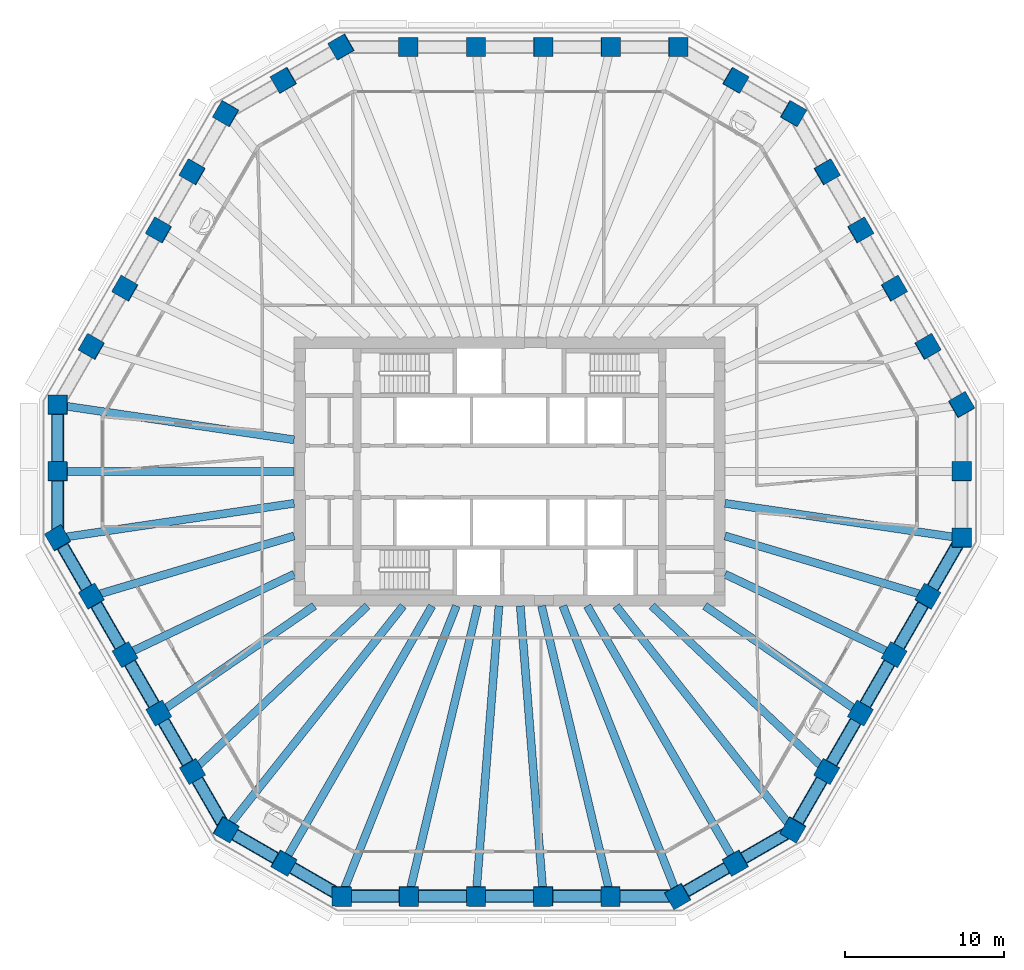
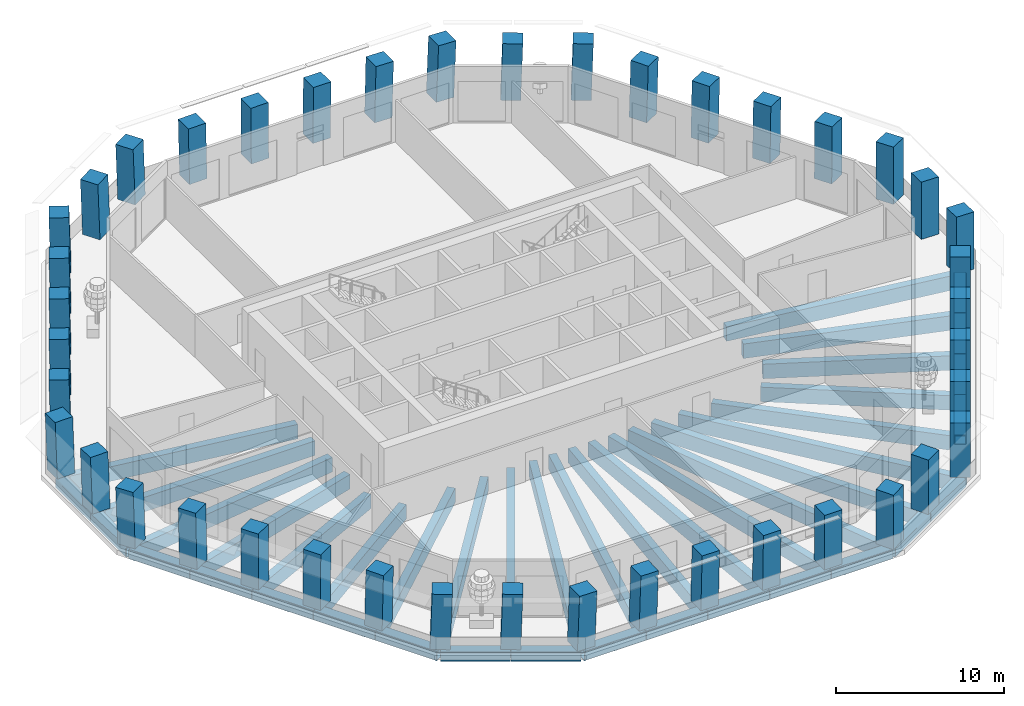
# One storey, part 1 of 12: 43 beams, 42 columns.
"""IFC4 building model written with IfcOpenShell, lengths in metres."""

from ifc_helpers import new_model, si_unit, direction, frame, origin, origin_2d, place, context, subcontext, project, spatial, rectangle, hollow_rectangle, extrude, material, material_profile, profile_set, type_object, element, save


model = new_model("IFC4")

# Units and contexts
model_context = context("Model", 3, precision=1e-05, world=origin(), true_north=direction((0.0, 1.0)))
body_context = subcontext(model_context, "Body", "Model", "MODEL_VIEW")
ifc_project = project(units=[si_unit("LENGTHUNIT", "METRE"), si_unit("AREAUNIT", "SQUARE_METRE"), si_unit("VOLUMEUNIT", "CUBIC_METRE"), si_unit("PLANEANGLEUNIT", "RADIAN"), si_unit("MASSUNIT", "GRAM", prefix="KILO")], contexts=[model_context])

# Site, building, storey
site_placement = place(None, origin())
site = spatial("IfcSite", under=ifc_project, at=site_placement, CompositionType="ELEMENT")
building_placement = place(site_placement, origin())
building = spatial("IfcBuilding", under=site, at=building_placement, Name="Frailejon Research Tower", CompositionType="ELEMENT")
storey_placement = place(building_placement, frame((0.0, 0.0, 145.199951171875)))
storey = spatial("IfcBuildingStorey", under=building, at=storey_placement, Name="L31", CompositionType="ELEMENT", Elevation=145.199951171875)

# Columns
ifc_material_1 = material(Name="Concrete C60/75", Category="concrete")
ifc_material_profile_1 = material_profile(ifc_material_1, rectangle(XDim=1.199951171875, YDim=1.199951171875, at=origin_2d()), Name="Column 1200")
ifc_profile_set_1 = profile_set([ifc_material_profile_1], Name="Concrete C60/75")
column_type = type_object("IfcColumnType", Name="Column 1200", PredefinedType="COLUMN", material=ifc_profile_set_1)
for number, where, z_axis, x_axis, name in (
    (1, (28.412841796875, -4.1875, 0.0), (0.018132630042, 0.031385715123, 0.999342856388), (-2.2275817e-05, 0.999507197449, -0.031390472292), "Column C01"),
    (2, (28.412841796875, 0.0, 0.0), (0.018132630042, 0.031385715123, 0.999342856388), (-2.2275817e-05, 0.999507197449, -0.031390472292), "Column C02"),
    (3, (28.412841796875, 4.1875, 0.0), (0.018132630042, 0.031385715123, 0.999342856388), (-0.500209083473, 0.865715193431, -0.018112886952), "Column C03"),
):
    element("IfcColumn", number, at=place(storey_placement, frame(where, z_axis=z_axis, x_axis=x_axis)), inside=storey, type_object=column_type, Name=name, PredefinedType="COLUMN", context=body_context, shape_type="SweptSolid", body=[
        extrude(rectangle(XDim=1.199951171875, YDim=1.199951171875, at=origin_2d()), origin(), (0.0, 0.0, 1.0), 4.052734375),
    ])
column_1_placement = place(storey_placement, frame((26.296875, 7.8525390625, 0.0), z_axis=(0.021749390218, 0.025123256844, 0.9994477405), x_axis=(-0.500115620545, 0.865890253502, -0.010882783573)))
element("IfcColumn", 4, at=column_1_placement, inside=storey, type_object=column_type, Name="Column C04", PredefinedType="COLUMN", context=body_context, shape_type="SweptSolid", body=[
    extrude(rectangle(XDim=1.199951171875, YDim=1.199951171875, at=origin_2d()), origin(), (0.0, 0.0, 1.0), 4.05224609375),
])
for number, where, z_axis, x_axis, name in (
    (5, (24.180908203125, 11.517578125, 0.0), (0.025365582388, 0.018858497119, 0.999500347332), (-0.500321526885, 0.865832042738, -0.003639162491), "Column C05"),
    (6, (22.06494140625, 15.1826171875, 0.0), (0.028980660531, 0.012532177527, 0.999501408624), (-0.499450496938, 0.866334867635, 0.003619147421), "Column C06"),
):
    element("IfcColumn", number, at=place(storey_placement, frame(where, z_axis=z_axis, x_axis=x_axis)), inside=storey, type_object=column_type, Name=name, PredefinedType="COLUMN", context=body_context, shape_type="SweptSolid", body=[
        extrude(rectangle(XDim=1.199951171875, YDim=1.199951171875, at=origin_2d()), origin(), (0.0, 0.0, 1.0), 4.052001953125),
    ])
column_2_placement = place(storey_placement, frame((19.948974609375, 18.847412109375, 0.0), z_axis=(0.032654187208, 0.006265748099, 0.999447069363), x_axis=(-0.499519823947, 0.866234008258, 0.010889831076)))
element("IfcColumn", 7, at=column_2_placement, inside=storey, type_object=column_type, Name="Column C07", PredefinedType="COLUMN", context=body_context, shape_type="SweptSolid", body=[
    extrude(rectangle(XDim=1.199951171875, YDim=1.199951171875, at=origin_2d()), origin(), (0.0, 0.0, 1.0), 4.05224609375),
])
for number, where, z_axis, x_axis, name in (
    (8, (17.8330078125, 22.512451171875, 0.0), (0.036265236264, 0.0, 0.999342199969), (-0.865313546461, 0.500246354177, 0.031401456084), "Column C08"),
    (9, (14.206298828125, 24.606201171875, 0.0), (0.036325398096, 0.0, 0.999340014936), (-0.865311654478, 0.500246354177, 0.031453549198), "Column C09"),
    (10, (10.579833984375, 26.699951171875, 0.0), (0.036265236264, 0.0, 0.999342199969), (-0.999342199969, 0.0, 0.036265236264), "Column C10"),
):
    element("IfcColumn", number, at=place(storey_placement, frame(where, z_axis=z_axis, x_axis=x_axis)), inside=storey, type_object=column_type, Name=name, PredefinedType="COLUMN", context=body_context, shape_type="SweptSolid", body=[
        extrude(rectangle(XDim=1.199951171875, YDim=1.199951171875, at=origin_2d()), origin(), (0.0, 0.0, 1.0), 4.052734375),
    ])
column_3_placement = place(storey_placement, frame((6.347900390625, 26.699951171875, 0.0), z_axis=(0.021756257337, 0.0, 0.999763304621), x_axis=(-0.999763304621, 0.0, 0.021756257337)))
element("IfcColumn", 11, at=column_3_placement, inside=storey, type_object=column_type, Name="Column C11", PredefinedType="COLUMN", context=body_context, shape_type="SweptSolid", body=[
    extrude(rectangle(XDim=1.199951171875, YDim=1.199951171875, at=origin_2d()), origin(), (0.0, 0.0, 1.0), 4.051025390625),
])
for number, where, z_axis, x_axis, name in (
    (12, (2.115966796875, 26.699951171875, 0.0), (0.007293795973, 0.0, 0.999973399916), (-0.999973399916, 0.0, 0.007293795973), "Column C12"),
    (13, (-2.115966796875, 26.699951171875, 0.0), (-0.007293795973, 0.0, 0.999973399916), (-0.999973399916, 0.0, -0.007293795973), "Column C13"),
):
    element("IfcColumn", number, at=place(storey_placement, frame(where, z_axis=z_axis, x_axis=x_axis)), inside=storey, type_object=column_type, Name=name, PredefinedType="COLUMN", context=body_context, shape_type="SweptSolid", body=[
        extrude(rectangle(XDim=1.199951171875, YDim=1.199951171875, at=origin_2d()), origin(), (0.0, 0.0, 1.0), 4.050048828125),
    ])
column_4_placement = place(storey_placement, frame((-6.347900390625, 26.699951171875, 0.0), z_axis=(-0.021756257337, 0.0, 0.999763304621), x_axis=(-0.999763304621, 0.0, -0.021756257337)))
element("IfcColumn", 14, at=column_4_placement, inside=storey, type_object=column_type, Name="Column C14", PredefinedType="COLUMN", context=body_context, shape_type="SweptSolid", body=[
    extrude(rectangle(XDim=1.199951171875, YDim=1.199951171875, at=origin_2d()), origin(), (0.0, 0.0, 1.0), 4.051025390625),
])
for number, where, z_axis, x_axis, name in (
    (15, (-10.579833984375, 26.699951171875, 0.0), (-0.036265236264, 0.0, 0.999342199969), (-0.865313546461, -0.500246354177, -0.031401456084), "Column C15"),
    (16, (-14.206298828125, 24.606201171875, 0.0), (-0.036325398096, 0.0, 0.999340014936), (-0.865311654478, -0.500246354177, -0.031453549198), "Column C16"),
    (17, (-17.8330078125, 22.512451171875, 0.0), (-0.036265236264, 0.0, 0.999342199969), (-0.499424867419, -0.866167613071, -0.018123682572), "Column C17"),
):
    element("IfcColumn", number, at=place(storey_placement, frame(where, z_axis=z_axis, x_axis=x_axis)), inside=storey, type_object=column_type, Name=name, PredefinedType="COLUMN", context=body_context, shape_type="SweptSolid", body=[
        extrude(rectangle(XDim=1.199951171875, YDim=1.199951171875, at=origin_2d()), origin(), (0.0, 0.0, 1.0), 4.052734375),
    ])
column_5_placement = place(storey_placement, frame((-19.948974609375, 18.847412109375, 0.0), z_axis=(-0.032654187208, 0.006265748099, 0.999447069363), x_axis=(-0.499519823947, -0.866234008258, -0.010889831076)))
element("IfcColumn", 18, at=column_5_placement, inside=storey, type_object=column_type, Name="Column C18", PredefinedType="COLUMN", context=body_context, shape_type="SweptSolid", body=[
    extrude(rectangle(XDim=1.199951171875, YDim=1.199951171875, at=origin_2d()), origin(), (0.0, 0.0, 1.0), 4.05224609375),
])
for number, where, z_axis, x_axis, name in (
    (19, (-22.06494140625, 15.1826171875, 0.0), (-0.028980660531, 0.012532177527, 0.999501408624), (-0.499450496938, -0.866334867635, -0.003619147421), "Column C19"),
    (20, (-24.180908203125, 11.517578125, 0.0), (-0.025365582388, 0.018858497119, 0.999500347332), (-0.500321526885, -0.865832042738, 0.003639162491), "Column C20"),
):
    element("IfcColumn", number, at=place(storey_placement, frame(where, z_axis=z_axis, x_axis=x_axis)), inside=storey, type_object=column_type, Name=name, PredefinedType="COLUMN", context=body_context, shape_type="SweptSolid", body=[
        extrude(rectangle(XDim=1.199951171875, YDim=1.199951171875, at=origin_2d()), origin(), (0.0, 0.0, 1.0), 4.052001953125),
    ])
column_6_placement = place(storey_placement, frame((-26.296875, 7.8525390625, 0.0), z_axis=(-0.021749390218, 0.025123256844, 0.9994477405), x_axis=(-0.500115620545, -0.865890253502, 0.010882783573)))
element("IfcColumn", 21, at=column_6_placement, inside=storey, type_object=column_type, Name="Column C21", PredefinedType="COLUMN", context=body_context, shape_type="SweptSolid", body=[
    extrude(rectangle(XDim=1.199951171875, YDim=1.199951171875, at=origin_2d()), origin(), (0.0, 0.0, 1.0), 4.05224609375),
])
for number, where, z_axis, x_axis, name in (
    (22, (-28.412841796875, 4.1875, 0.0), (-0.018132630042, 0.031385715123, 0.999342856388), (-0.000336383425, -0.999507319949, 0.031384776797), "Column C22"),
    (23, (-28.412841796875, 0.0, 0.0), (-0.018132630042, 0.031385715123, 0.999342856388), (-2.2275817e-05, -0.999507197449, 0.031390472292), "Column C23"),
    (24, (-28.412841796875, -4.1875, 0.0), (-0.018132630042, 0.031385715123, 0.999342856388), (0.50014482047, -0.865182814935, 0.036247141934), "Column C24"),
):
    element("IfcColumn", number, at=place(storey_placement, frame(where, z_axis=z_axis, x_axis=x_axis)), inside=storey, type_object=column_type, Name=name, PredefinedType="COLUMN", context=body_context, shape_type="SweptSolid", body=[
        extrude(rectangle(XDim=1.199951171875, YDim=1.199951171875, at=origin_2d()), origin(), (0.0, 0.0, 1.0), 4.052734375),
    ])
column_7_placement = place(storey_placement, frame((-26.296875, -7.8525390625, 0.0), z_axis=(-0.010847994403, 0.018863456933, 0.999763217472), x_axis=(0.498110056101, -0.866840736857, 0.021760260458)))
element("IfcColumn", 25, at=column_7_placement, inside=storey, type_object=column_type, Name="Column C25", PredefinedType="COLUMN", context=body_context, shape_type="SweptSolid", body=[
    extrude(rectangle(XDim=1.199951171875, YDim=1.199951171875, at=origin_2d()), origin(), (0.0, 0.0, 1.0), 4.051025390625),
])
for number, where, z_axis, x_axis, name in (
    (26, (-24.180908203125, -11.517578125, 0.0), (-0.003616759812, 0.006269050341, 0.999973808685), (0.500530036588, -0.865688916746, 0.00723753388), "Column C26"),
    (27, (-22.06494140625, -15.1826171875, 0.0), (0.003616759812, -0.006269050341, 0.999973808685), (0.498177152713, -0.867045063843, -0.007237525818), "Column C27"),
):
    element("IfcColumn", number, at=place(storey_placement, frame(where, z_axis=z_axis, x_axis=x_axis)), inside=storey, type_object=column_type, Name=name, PredefinedType="COLUMN", context=body_context, shape_type="SweptSolid", body=[
        extrude(rectangle(XDim=1.199951171875, YDim=1.199951171875, at=origin_2d()), origin(), (0.0, 0.0, 1.0), 4.050048828125),
    ])
column_8_placement = place(storey_placement, frame((-19.948974609375, -18.847412109375, 0.0), z_axis=(0.010908253887, -0.018863444567, 0.99976256204), x_axis=(0.50018659929, -0.865643429133, -0.021790353113)))
element("IfcColumn", 28, at=column_8_placement, inside=storey, type_object=column_type, Name="Column C28", PredefinedType="COLUMN", context=body_context, shape_type="SweptSolid", body=[
    extrude(rectangle(XDim=1.199951171875, YDim=1.199951171875, at=origin_2d()), origin(), (0.0, 0.0, 1.0), 4.051025390625),
])
for number, where, z_axis, x_axis, name in (
    (29, (-17.8330078125, -22.512451171875, 0.0), (0.018132630042, -0.031385715123, 0.999342856388), (0.866156195426, -0.498787200508, -0.031381104725), "Column C29"),
    (30, (-14.206298828125, -24.606201171875, 0.0), (0.018132630042, -0.031385715123, 0.999342856388), (0.866156195426, -0.498787200508, -0.031381104725), "Column C30"),
    (31, (-10.579833984375, -26.699951171875, 0.0), (0.018132595726, -0.031445896907, 0.999340965106), (0.99983524919, -0.000256147078, -0.018149624376), "Column C31"),
):
    element("IfcColumn", number, at=place(storey_placement, frame(where, z_axis=z_axis, x_axis=x_axis)), inside=storey, type_object=column_type, Name=name, PredefinedType="COLUMN", context=body_context, shape_type="SweptSolid", body=[
        extrude(rectangle(XDim=1.199951171875, YDim=1.199951171875, at=origin_2d()), origin(), (0.0, 0.0, 1.0), 4.052734375),
    ])
column_9_placement = place(storey_placement, frame((-6.347900390625, -26.699951171875, 0.0), z_axis=(0.010904798434, -0.031449197695, 0.999445863134), x_axis=(0.999940479279, 0.000693913361, -0.010888359996)))
element("IfcColumn", 32, at=column_9_placement, inside=storey, type_object=column_type, Name="Column C32", PredefinedType="COLUMN", context=body_context, shape_type="SweptSolid", body=[
    extrude(rectangle(XDim=1.199951171875, YDim=1.199951171875, at=origin_2d()), origin(), (0.0, 0.0, 1.0), 4.05224609375),
])
for number, where, z_axis, x_axis, name in (
    (33, (-2.115966796875, -26.699951171875, 0.0), (0.003615041636, -0.031450862236, 0.999498761749), (0.999993193045, -0.000624412618, -0.003636478086), "Column C33"),
    (34, (2.115966796875, -26.699951171875, 0.0), (-0.003615041636, -0.031450862236, 0.999498761749), (0.999993193045, 0.000624412618, 0.003636478086), "Column C34"),
):
    element("IfcColumn", number, at=place(storey_placement, frame(where, z_axis=z_axis, x_axis=x_axis)), inside=storey, type_object=column_type, Name=name, PredefinedType="COLUMN", context=body_context, shape_type="SweptSolid", body=[
        extrude(rectangle(XDim=1.199951171875, YDim=1.199951171875, at=origin_2d()), origin(), (0.0, 0.0, 1.0), 4.052001953125),
    ])
column_10_placement = place(storey_placement, frame((6.347900390625, -26.699951171875, 0.0), z_axis=(-0.010904798434, -0.031449197695, 0.999445863134), x_axis=(0.999940479279, -0.000693913361, 0.010888359996)))
element("IfcColumn", 35, at=column_10_placement, inside=storey, type_object=column_type, Name="Column C35", PredefinedType="COLUMN", context=body_context, shape_type="SweptSolid", body=[
    extrude(rectangle(XDim=1.199951171875, YDim=1.199951171875, at=origin_2d()), origin(), (0.0, 0.0, 1.0), 4.05224609375),
])
for number, where, z_axis, x_axis, name in (
    (36, (10.579833984375, -26.699951171875, 0.0), (-0.018132595726, -0.031445896907, 0.999340965106), (0.865469370655, 0.499974541214, 0.031436071558), "Column C36"),
    (37, (14.206298828125, -24.606201171875, 0.0), (-0.018132630042, -0.031385715123, 0.999342856388), (0.866156195426, 0.498787200508, 0.031381104725), "Column C37"),
    (38, (17.8330078125, -22.512451171875, 0.0), (-0.018132630042, -0.031385715123, 0.999342856388), (0.50014482047, 0.865182814935, 0.036247141934), "Column C38"),
):
    element("IfcColumn", number, at=place(storey_placement, frame(where, z_axis=z_axis, x_axis=x_axis)), inside=storey, type_object=column_type, Name=name, PredefinedType="COLUMN", context=body_context, shape_type="SweptSolid", body=[
        extrude(rectangle(XDim=1.199951171875, YDim=1.199951171875, at=origin_2d()), origin(), (0.0, 0.0, 1.0), 4.052734375),
    ])
column_11_placement = place(storey_placement, frame((19.948974609375, -18.847412109375, 0.0), z_axis=(-0.010908253887, -0.018863444567, 0.99976256204), x_axis=(0.50018659929, 0.865643429133, 0.021790353113)))
element("IfcColumn", 39, at=column_11_placement, inside=storey, type_object=column_type, Name="Column C39", PredefinedType="COLUMN", context=body_context, shape_type="SweptSolid", body=[
    extrude(rectangle(XDim=1.199951171875, YDim=1.199951171875, at=origin_2d()), origin(), (0.0, 0.0, 1.0), 4.051025390625),
])
for number, where, z_axis, x_axis, name in (
    (40, (22.06494140625, -15.1826171875, 0.0), (-0.003616759812, -0.006269050341, 0.999973808685), (0.498177152713, 0.867045063843, 0.007237525818), "Column C40"),
    (41, (24.180908203125, -11.517578125, 0.0), (0.003616759812, 0.006269050341, 0.999973808685), (0.500530036588, 0.865688916746, -0.00723753388), "Column C41"),
):
    element("IfcColumn", number, at=place(storey_placement, frame(where, z_axis=z_axis, x_axis=x_axis)), inside=storey, type_object=column_type, Name=name, PredefinedType="COLUMN", context=body_context, shape_type="SweptSolid", body=[
        extrude(rectangle(XDim=1.199951171875, YDim=1.199951171875, at=origin_2d()), origin(), (0.0, 0.0, 1.0), 4.050048828125),
    ])
column_12_placement = place(storey_placement, frame((26.296875, -7.8525390625, 0.0), z_axis=(0.010847994403, 0.018863456933, 0.999763217472), x_axis=(0.498110056101, 0.866840736857, -0.021760260458)))
element("IfcColumn", 42, at=column_12_placement, inside=storey, type_object=column_type, Name="Column C42", PredefinedType="COLUMN", context=body_context, shape_type="SweptSolid", body=[
    extrude(rectangle(XDim=1.199951171875, YDim=1.199951171875, at=origin_2d()), origin(), (0.0, 0.0, 1.0), 4.051025390625),
])

# Beams
ifc_material_2 = material(Name="Concrete C60/75", Category="concrete")
ifc_material_profile_2 = material_profile(ifc_material_2, rectangle(XDim=0.5, YDim=1.050048828125, at=origin_2d()), Name="Girder 500x1050")
ifc_profile_set_2 = profile_set([ifc_material_profile_2], Name="Concrete C60/75")
beam_type_1 = type_object("IfcBeamType", Name="Girder 500x1050", PredefinedType="BEAM", material=ifc_profile_set_2)
for number, where, z_axis, x_axis, name in (
    (43, (27.961181640625, -4.12109375, -0.824951171875), (-0.989312252473, 0.145812438106, 0.0), (-0.145812438106, -0.989312252473, 0.0), "Girder 500x1050"),
    (44, (-27.961181640625, 4.12109375, -0.824951171875), (0.989312252473, -0.145812438106, 0.0), (0.145812438106, 0.989312252473, 0.0), "Girder 500x1050"),
):
    element("IfcBeam", number, at=place(storey_placement, frame(where, z_axis=z_axis, x_axis=x_axis)), inside=storey, type_object=beam_type_1, Name=name, PredefinedType="BEAM", context=body_context, shape_type="SweptSolid", body=[
        extrude(rectangle(XDim=0.5, YDim=1.050048828125, at=origin_2d()), origin(), (0.0, 0.0, 1.0), 14.56689453125),
    ])
beam_1_placement = place(storey_placement, frame((-27.962890625, 0.0, -0.824951171875), z_axis=(1.0, 0.0, 0.0), x_axis=(0.0, 1.0, 0.0)))
element("IfcBeam", 45, at=beam_1_placement, inside=storey, type_object=beam_type_1, Name="Girder 500x1050", PredefinedType="BEAM", context=body_context, shape_type="SweptSolid", body=[
    extrude(rectangle(XDim=0.5, YDim=1.050048828125, at=origin_2d()), origin(), (0.0, 0.0, 1.0), 14.412841796875),
])
beam_2_placement = place(storey_placement, frame((-27.922607421875, -4.115478515625, -0.824951171875), z_axis=(0.989311556104, 0.145817162771, 0.0), x_axis=(-0.145817162771, 0.989311556104, 0.0)))
element("IfcBeam", 46, at=beam_2_placement, inside=storey, type_object=beam_type_1, Name="Girder 500x1050", PredefinedType="BEAM", context=body_context, shape_type="SweptSolid", body=[
    extrude(rectangle(XDim=0.5, YDim=1.050048828125, at=origin_2d()), origin(), (0.0, 0.0, 1.0), 14.52783203125),
])
beam_3_placement = place(storey_placement, frame((-25.849609375, -7.718994140625, -0.824951171875), z_axis=(0.95819037605, 0.286131444, 0.0), x_axis=(-0.286131444, 0.95819037605, 0.0)))
element("IfcBeam", 47, at=beam_3_placement, inside=storey, type_object=beam_type_1, Name="Girder 500x1050", PredefinedType="BEAM", context=body_context, shape_type="SweptSolid", body=[
    extrude(rectangle(XDim=0.5, YDim=1.050048828125, at=origin_2d()), origin(), (0.0, 0.0, 1.0), 12.836181640625),
])
beam_4_placement = place(storey_placement, frame((-23.77294921875, -11.3232421875, -0.824951171875), z_axis=(0.902814682084, 0.43002982433, 0.0), x_axis=(-0.43002982433, 0.902814682084, 0.0)))
element("IfcBeam", 48, at=beam_4_placement, inside=storey, type_object=beam_type_1, Name="Girder 500x1050", PredefinedType="BEAM", context=body_context, shape_type="SweptSolid", body=[
    extrude(rectangle(XDim=0.5, YDim=1.050048828125, at=origin_2d()), origin(), (0.0, 0.0, 1.0), 11.323486328125),
])
beam_5_placement = place(storey_placement, frame((-21.692626953125, -14.92626953125, -0.824951171875), z_axis=(0.823817400078, 0.566855264886, 0.0), x_axis=(-0.566855264886, 0.823817400078, 0.0)))
element("IfcBeam", 49, at=beam_5_placement, inside=storey, type_object=beam_type_1, Name="Girder 500x1050", PredefinedType="BEAM", context=body_context, shape_type="SweptSolid", body=[
    extrude(rectangle(XDim=0.5, YDim=1.050048828125, at=origin_2d()), origin(), (0.0, 0.0, 1.0), 11.425048828125),
])
beam_6_placement = place(storey_placement, frame((-19.609619140625, -18.527099609375, -0.824951171875), z_axis=(0.726879787721, 0.686764715315, 0.0), x_axis=(-0.686764715315, 0.726879787721, 0.0)))
element("IfcBeam", 50, at=beam_6_placement, inside=storey, type_object=beam_type_1, Name="Girder 500x1050", PredefinedType="BEAM", context=body_context, shape_type="SweptSolid", body=[
    extrude(rectangle(XDim=0.5, YDim=1.050048828125, at=origin_2d()), origin(), (0.0, 0.0, 1.0), 14.67333984375),
])
beam_7_placement = place(storey_placement, frame((-17.549560546875, -22.154541015625, -0.824951171875), z_axis=(0.620931113897, 0.783865136228, 0.0), x_axis=(-0.783865136228, 0.620931113897, 0.0)))
element("IfcBeam", 51, at=beam_7_placement, inside=storey, type_object=beam_type_1, Name="Girder 500x1050", PredefinedType="BEAM", context=body_context, shape_type="SweptSolid", body=[
    extrude(rectangle(XDim=0.5, YDim=1.050048828125, at=origin_2d()), origin(), (0.0, 0.0, 1.0), 17.4833984375),
])
beam_8_placement = place(storey_placement, frame((-13.9814453125, -24.216552734375, -0.824951171875), z_axis=(0.499997180003, 0.866027031905, 0.0), x_axis=(-0.866027031905, 0.499997180003, 0.0)))
element("IfcBeam", 52, at=beam_8_placement, inside=storey, type_object=beam_type_1, Name="Girder 500x1050", PredefinedType="BEAM", context=body_context, shape_type="SweptSolid", body=[
    extrude(rectangle(XDim=0.5, YDim=1.050048828125, at=origin_2d()), origin(), (0.0, 0.0, 1.0), 18.20556640625),
])
beam_9_placement = place(storey_placement, frame((-10.3974609375, -26.239501953125, -0.824951171875), z_axis=(0.368381637422, 0.929674657722, 0.0), x_axis=(-0.929674657722, 0.368381637422, 0.0)))
element("IfcBeam", 53, at=beam_9_placement, inside=storey, type_object=beam_type_1, Name="Girder 500x1050", PredefinedType="BEAM", context=body_context, shape_type="SweptSolid", body=[
    extrude(rectangle(XDim=0.5, YDim=1.050048828125, at=origin_2d()), origin(), (0.0, 0.0, 1.0), 19.13525390625),
])
beam_10_placement = place(storey_placement, frame((-6.239990234375, -26.245849609375, -0.824951171875), z_axis=(0.231301735963, 0.972882062195, 0.0), x_axis=(-0.972882062195, 0.231301735963, 0.0)))
element("IfcBeam", 54, at=beam_10_placement, inside=storey, type_object=beam_type_1, Name="Girder 500x1050", PredefinedType="BEAM", context=body_context, shape_type="SweptSolid", body=[
    extrude(rectangle(XDim=0.5, YDim=1.050048828125, at=origin_2d()), origin(), (0.0, 0.0, 1.0), 18.2919921875),
])
for number, where, z_axis, x_axis, name in (
    (55, (-2.080322265625, -26.24951171875, -0.824951171875), (0.079003932823, 0.996874304312, 0.0), (-0.996874304312, 0.079003932823, 0.0), "Girder 500x1050"),
    (56, (2.080322265625, -26.24951171875, -0.824951171875), (-0.079003932823, 0.996874304312, 0.0), (-0.996874304312, -0.079003932823, 0.0), "Girder 500x1050"),
):
    element("IfcBeam", number, at=place(storey_placement, frame(where, z_axis=z_axis, x_axis=x_axis)), inside=storey, type_object=beam_type_1, Name=name, PredefinedType="BEAM", context=body_context, shape_type="SweptSolid", body=[
        extrude(rectangle(XDim=0.5, YDim=1.050048828125, at=origin_2d()), origin(), (0.0, 0.0, 1.0), 17.85546875),
    ])
beam_11_placement = place(storey_placement, frame((6.239990234375, -26.245849609375, -0.824951171875), z_axis=(-0.231301735963, 0.972882062195, 0.0), x_axis=(-0.972882062195, -0.231301735963, 0.0)))
element("IfcBeam", 57, at=beam_11_placement, inside=storey, type_object=beam_type_1, Name="Girder 500x1050", PredefinedType="BEAM", context=body_context, shape_type="SweptSolid", body=[
    extrude(rectangle(XDim=0.5, YDim=1.050048828125, at=origin_2d()), origin(), (0.0, 0.0, 1.0), 18.2919921875),
])
beam_12_placement = place(storey_placement, frame((10.41162109375, -26.275634765625, -0.824951171875), z_axis=(-0.368374542626, 0.929677468989, 0.0), x_axis=(-0.929677468989, -0.368374542626, 0.0)))
element("IfcBeam", 58, at=beam_12_placement, inside=storey, type_object=beam_type_1, Name="Girder 500x1050", PredefinedType="BEAM", context=body_context, shape_type="SweptSolid", body=[
    extrude(rectangle(XDim=0.5, YDim=1.050048828125, at=origin_2d()), origin(), (0.0, 0.0, 1.0), 19.174072265625),
])
beam_13_placement = place(storey_placement, frame((13.9814453125, -24.216552734375, -0.824951171875), z_axis=(-0.499997180003, 0.866027031905, 0.0), x_axis=(-0.866027031905, -0.499997180003, 0.0)))
element("IfcBeam", 59, at=beam_13_placement, inside=storey, type_object=beam_type_1, Name="Girder 500x1050", PredefinedType="BEAM", context=body_context, shape_type="SweptSolid", body=[
    extrude(rectangle(XDim=0.5, YDim=1.050048828125, at=origin_2d()), origin(), (0.0, 0.0, 1.0), 18.20556640625),
])
beam_14_placement = place(storey_placement, frame((17.525390625, -22.1240234375, -0.824951171875), z_axis=(-0.62093126464, 0.783865016819, 0.0), x_axis=(-0.783865016819, -0.62093126464, 0.0)))
element("IfcBeam", 60, at=beam_14_placement, inside=storey, type_object=beam_type_1, Name="Girder 500x1050", PredefinedType="BEAM", context=body_context, shape_type="SweptSolid", body=[
    extrude(rectangle(XDim=0.5, YDim=1.050048828125, at=origin_2d()), origin(), (0.0, 0.0, 1.0), 17.4443359375),
])
beam_15_placement = place(storey_placement, frame((19.609619140625, -18.527099609375, -0.824951171875), z_axis=(-0.726879787721, 0.686764715315, 0.0), x_axis=(-0.686764715315, -0.726879787721, 0.0)))
element("IfcBeam", 61, at=beam_15_placement, inside=storey, type_object=beam_type_1, Name="Girder 500x1050", PredefinedType="BEAM", context=body_context, shape_type="SweptSolid", body=[
    extrude(rectangle(XDim=0.5, YDim=1.050048828125, at=origin_2d()), origin(), (0.0, 0.0, 1.0), 14.67333984375),
])
beam_16_placement = place(storey_placement, frame((21.692626953125, -14.92626953125, -0.824951171875), z_axis=(-0.823817400078, 0.566855264886, 0.0), x_axis=(-0.566855264886, -0.823817400078, 0.0)))
element("IfcBeam", 62, at=beam_16_placement, inside=storey, type_object=beam_type_1, Name="Girder 500x1050", PredefinedType="BEAM", context=body_context, shape_type="SweptSolid", body=[
    extrude(rectangle(XDim=0.5, YDim=1.050048828125, at=origin_2d()), origin(), (0.0, 0.0, 1.0), 11.425048828125),
])
beam_17_placement = place(storey_placement, frame((23.77294921875, -11.3232421875, -0.824951171875), z_axis=(-0.902814682084, 0.43002982433, 0.0), x_axis=(-0.43002982433, -0.902814682084, 0.0)))
element("IfcBeam", 63, at=beam_17_placement, inside=storey, type_object=beam_type_1, Name="Girder 500x1050", PredefinedType="BEAM", context=body_context, shape_type="SweptSolid", body=[
    extrude(rectangle(XDim=0.5, YDim=1.050048828125, at=origin_2d()), origin(), (0.0, 0.0, 1.0), 11.323486328125),
])
beam_18_placement = place(storey_placement, frame((25.849609375, -7.718994140625, -0.824951171875), z_axis=(-0.95819037605, 0.286131444, 0.0), x_axis=(-0.286131444, -0.95819037605, 0.0)))
element("IfcBeam", 64, at=beam_18_placement, inside=storey, type_object=beam_type_1, Name="Girder 500x1050", PredefinedType="BEAM", context=body_context, shape_type="SweptSolid", body=[
    extrude(rectangle(XDim=0.5, YDim=1.050048828125, at=origin_2d()), origin(), (0.0, 0.0, 1.0), 12.836181640625),
])
ifc_material_3 = material(Name="Steel S355", Category="steel")
ifc_material_profile_3 = material_profile(ifc_material_3, hollow_rectangle(XDim=0.800048828125, YDim=0.699951171875, WallThickness=0.050048828125, InnerFilletRadius=0.050048828125, OuterFilletRadius=0.10009765625, at=origin_2d()), Name="Ring chord")
ifc_profile_set_3 = profile_set([ifc_material_profile_3], Name="Steel S355")
beam_type_2 = type_object("IfcBeamType", Name="Ring chord", PredefinedType="BEAM", material=ifc_profile_set_3)
for number, where, z_axis, x_axis, name in (
    (65, (-28.412841796875, 4.16748046875, -0.699951171875), (0.0, -1.0, 0.0), (1.0, 0.0, 0.0), "Ring chord"),
    (66, (-28.412841796875, -0.02001953125, -0.699951171875), (0.0, -1.0, 0.0), (1.0, 0.0, 0.0), "Ring chord"),
):
    element("IfcBeam", number, at=place(storey_placement, frame(where, z_axis=z_axis, x_axis=x_axis)), inside=storey, type_object=beam_type_2, Name=name, PredefinedType="BEAM", context=body_context, shape_type="SweptSolid", body=[
        extrude(hollow_rectangle(XDim=0.800048828125, YDim=0.699951171875, WallThickness=0.050048828125, InnerFilletRadius=0.050048828125, OuterFilletRadius=0.10009765625, at=origin_2d()), origin(), (0.0, 0.0, 1.0), 4.1474609375),
    ])
for number, where, z_axis, x_axis, name in (
    (67, (-28.40283203125, -4.204833984375, -0.699951171875), (0.499991329354, -0.866030409726, 0.0), (0.866030409726, 0.499991329354, 0.0), "Ring chord"),
    (68, (-26.286865234375, -7.869873046875, -0.699951171875), (0.499991329354, -0.866030409726, 0.0), (0.866030409726, 0.499991329354, 0.0), "Ring chord"),
    (69, (-24.1708984375, -11.534912109375, -0.699951171875), (0.499991329354, -0.866030409726, 0.0), (0.866030409726, 0.499991329354, 0.0), "Ring chord"),
    (70, (-22.054931640625, -15.19970703125, -0.699951171875), (0.499991329354, -0.866030409726, 0.0), (0.866030409726, 0.499991329354, 0.0), "Ring chord"),
    (71, (-19.93896484375, -18.86474609375, -0.699951171875), (0.499991329354, -0.866030409726, 0.0), (0.866030409726, 0.499991329354, 0.0), "Ring chord"),
):
    element("IfcBeam", number, at=place(storey_placement, frame(where, z_axis=z_axis, x_axis=x_axis)), inside=storey, type_object=beam_type_2, Name=name, PredefinedType="BEAM", context=body_context, shape_type="SweptSolid", body=[
        extrude(hollow_rectangle(XDim=0.800048828125, YDim=0.699951171875, WallThickness=0.050048828125, InnerFilletRadius=0.050048828125, OuterFilletRadius=0.10009765625, at=origin_2d()), origin(), (0.0, 0.0, 1.0), 4.19189453125),
    ])
for number, where, z_axis, x_axis, name in (
    (72, (-17.815673828125, -22.5224609375, -0.699951171875), (0.866039536849, -0.499975520016, 0.0), (0.499975520016, 0.866039536849, 0.0), "Ring chord"),
    (73, (-14.189208984375, -24.6162109375, -0.699951171875), (0.866039536849, -0.499975520016, 0.0), (0.499975520016, 0.866039536849, 0.0), "Ring chord"),
):
    element("IfcBeam", number, at=place(storey_placement, frame(where, z_axis=z_axis, x_axis=x_axis)), inside=storey, type_object=beam_type_2, Name=name, PredefinedType="BEAM", context=body_context, shape_type="SweptSolid", body=[
        extrude(hollow_rectangle(XDim=0.800048828125, YDim=0.699951171875, WallThickness=0.050048828125, InnerFilletRadius=0.050048828125, OuterFilletRadius=0.10009765625, at=origin_2d()), origin(), (0.0, 0.0, 1.0), 4.147705078125),
    ])
for number, where, z_axis, x_axis, name in (
    (74, (-10.559814453125, -26.699951171875, -0.699951171875), (1.0, 0.0, 0.0), (0.0, 1.0, 0.0), "Ring chord"),
    (75, (-6.327880859375, -26.699951171875, -0.699951171875), (1.0, 0.0, 0.0), (0.0, 1.0, 0.0), "Ring chord"),
    (76, (-2.095947265625, -26.699951171875, -0.699951171875), (1.0, 0.0, 0.0), (0.0, 1.0, 0.0), "Ring chord"),
    (77, (2.135986328125, -26.699951171875, -0.699951171875), (1.0, 0.0, 0.0), (0.0, 1.0, 0.0), "Ring chord"),
    (78, (6.367919921875, -26.699951171875, -0.699951171875), (1.0, 0.0, 0.0), (0.0, 1.0, 0.0), "Ring chord"),
):
    element("IfcBeam", number, at=place(storey_placement, frame(where, z_axis=z_axis, x_axis=x_axis)), inside=storey, type_object=beam_type_2, Name=name, PredefinedType="BEAM", context=body_context, shape_type="SweptSolid", body=[
        extrude(hollow_rectangle(XDim=0.800048828125, YDim=0.699951171875, WallThickness=0.050048828125, InnerFilletRadius=0.050048828125, OuterFilletRadius=0.10009765625, at=origin_2d()), origin(), (0.0, 0.0, 1.0), 4.19189453125),
    ])
for number, where, z_axis, x_axis, name in (
    (79, (10.59716796875, -26.68994140625, -0.699951171875), (0.866039536849, 0.499975520016, 0.0), (-0.499975520016, 0.866039536849, 0.0), "Ring chord"),
    (80, (14.2236328125, -24.59619140625, -0.699951171875), (0.866039536849, 0.499975520016, 0.0), (-0.499975520016, 0.866039536849, 0.0), "Ring chord"),
):
    element("IfcBeam", number, at=place(storey_placement, frame(where, z_axis=z_axis, x_axis=x_axis)), inside=storey, type_object=beam_type_2, Name=name, PredefinedType="BEAM", context=body_context, shape_type="SweptSolid", body=[
        extrude(hollow_rectangle(XDim=0.800048828125, YDim=0.699951171875, WallThickness=0.050048828125, InnerFilletRadius=0.050048828125, OuterFilletRadius=0.10009765625, at=origin_2d()), origin(), (0.0, 0.0, 1.0), 4.147705078125),
    ])
for number, where, z_axis, x_axis, name in (
    (81, (17.843017578125, -22.4951171875, -0.699951171875), (0.499991329354, 0.866030409726, 0.0), (-0.866030409726, 0.499991329354, 0.0), "Ring chord"),
    (82, (19.958984375, -18.830078125, -0.699951171875), (0.499991329354, 0.866030409726, 0.0), (-0.866030409726, 0.499991329354, 0.0), "Ring chord"),
    (83, (22.074951171875, -15.165283203125, -0.699951171875), (0.499991329354, 0.866030409726, 0.0), (-0.866030409726, 0.499991329354, 0.0), "Ring chord"),
    (84, (24.19091796875, -11.500244140625, -0.699951171875), (0.499991329354, 0.866030409726, 0.0), (-0.866030409726, 0.499991329354, 0.0), "Ring chord"),
    (85, (26.306884765625, -7.835205078125, -0.699951171875), (0.499991329354, 0.866030409726, 0.0), (-0.866030409726, 0.499991329354, 0.0), "Ring chord"),
):
    element("IfcBeam", number, at=place(storey_placement, frame(where, z_axis=z_axis, x_axis=x_axis)), inside=storey, type_object=beam_type_2, Name=name, PredefinedType="BEAM", context=body_context, shape_type="SweptSolid", body=[
        extrude(hollow_rectangle(XDim=0.800048828125, YDim=0.699951171875, WallThickness=0.050048828125, InnerFilletRadius=0.050048828125, OuterFilletRadius=0.10009765625, at=origin_2d()), origin(), (0.0, 0.0, 1.0), 4.19189453125),
    ])

save(model, "model.ifc")
